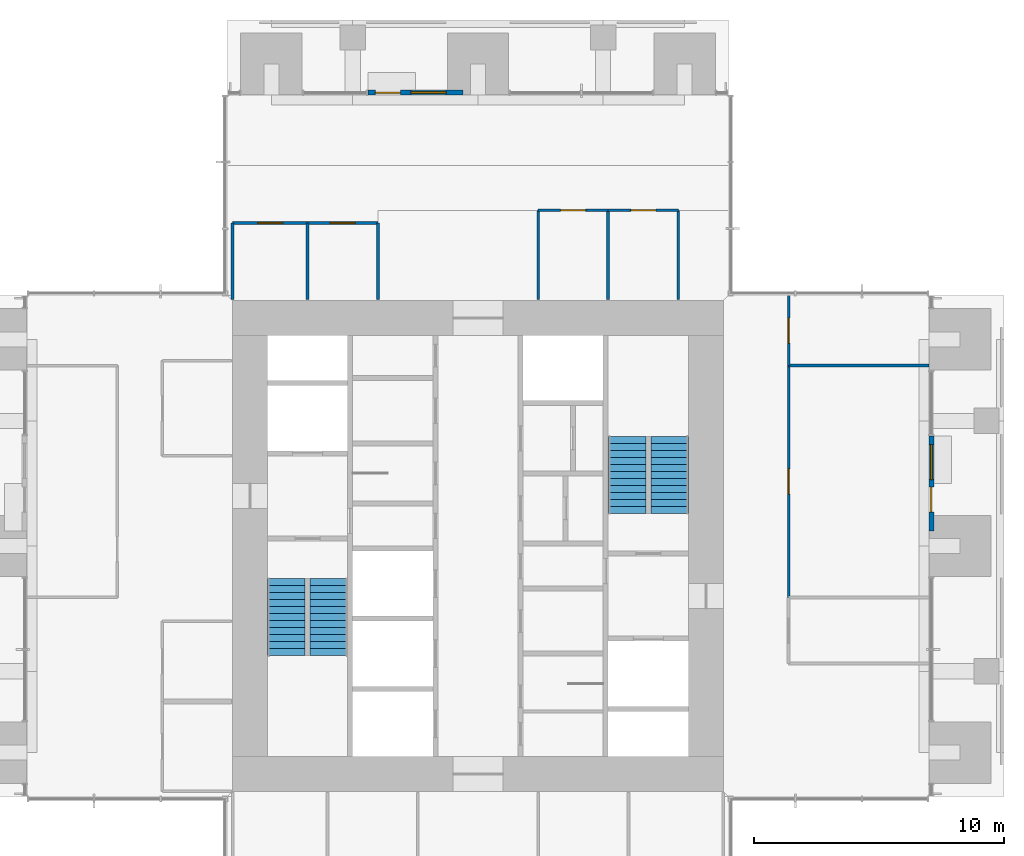
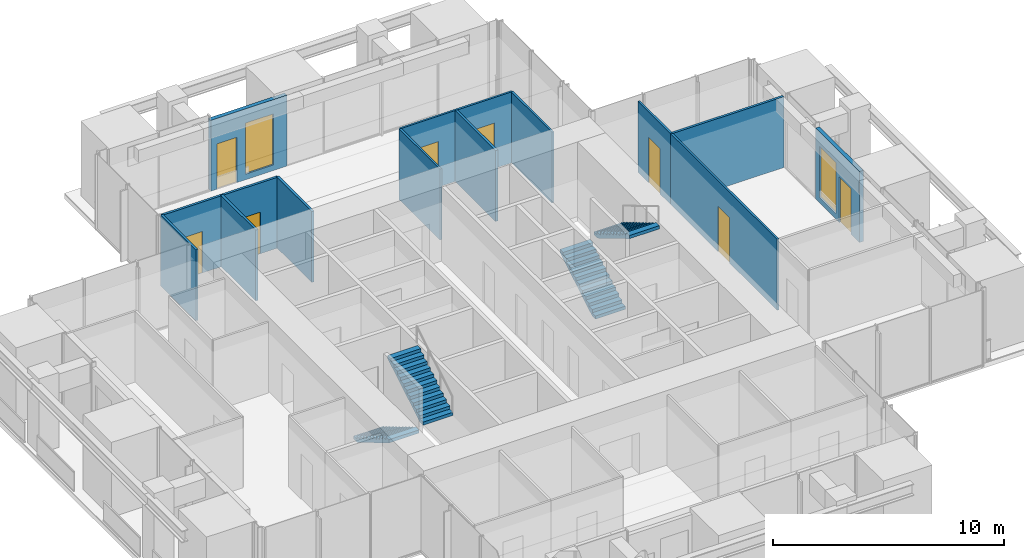
# One storey, part 14 of 17: 15 walls, 8 doors, 4 stair flights, 2 windows, 10 openings, 2 elements without a shape of their own.
"""IFC4 building model written with IfcOpenShell, lengths in metres."""

import ifcopenshell
import ifcopenshell.guid

model = None  # the IFC model being written
_history = None  # IfcOwnerHistory: only IFC2X3 demands one
_inside = {}  # id of a spatial element -> (the spatial element, [elements in it])
_under = {}  # id of a project, library or spatial element -> (it, [spatial elements below it])
_declared = {}  # id of a project -> (the project, [libraries it declares])
_typed = {}  # id of a type object -> (the type object, [elements of that type])
_made_of = {}  # id of a material, layer set ... -> (it, [elements and type objects made of it])


def new_model(schema):
    """Start an empty IFC model of exactly this schema.

    Asked for "IFC4X3", IfcOpenShell would pick the latest addendum, in which some entities
    have other attributes; the version numbers below select the first issue.
    IFC2X3 requires an IfcOwnerHistory on every rooted entity: one is made here for all.
    """
    global model, _history
    if schema == "IFC4X3":
        model = ifcopenshell.file(schema_version=(4, 3, 0, 0))
    else:
        model = ifcopenshell.file(schema=schema)
    _inside.clear()
    _under.clear()
    _declared.clear()
    _typed.clear()
    _made_of.clear()
    _history = None
    if model.schema == "IFC2X3":
        org = make("IfcOrganization", Name="unknown")
        user = make(
            "IfcPersonAndOrganization",
            ThePerson=make("IfcPerson", FamilyName="unknown"),
            TheOrganization=org,
        )
        app = make(
            "IfcApplication",
            ApplicationDeveloper=org,
            Version="unknown",
            ApplicationFullName="unknown",
            ApplicationIdentifier="unknown",
        )
        _history = make(
            "IfcOwnerHistory",
            OwningUser=user,
            OwningApplication=app,
            ChangeAction="ADDED",
            CreationDate=0,
        )
    return model


def make(cls, **values):
    """One entity of the class cls with the attributes given. An attribute that is None is left unset."""
    return model.create_entity(
        cls, **{name: value for name, value in values.items() if value is not None}
    )


def rooted(cls, **values):
    """An entity with a GlobalId (a new one), such as an element, a storey or a relation."""
    return make(cls, GlobalId=ifcopenshell.guid.new(), OwnerHistory=_history, **values)


def si_unit(unit_type, name, prefix=None):
    """IfcSIUnit, for example si_unit("LENGTHUNIT", "METRE", prefix="MILLI")."""
    return make("IfcSIUnit", UnitType=unit_type, Prefix=prefix, Name=name)


def assignment(units):
    """IfcUnitAssignment: the units of a project."""
    return None if units is None else make("IfcUnitAssignment", Units=units)


def point(xyz):
    """IfcCartesianPoint."""
    return None if xyz is None else make("IfcCartesianPoint", Coordinates=xyz)


def direction(xyz):
    """IfcDirection."""
    return None if xyz is None else make("IfcDirection", DirectionRatios=xyz)


def frame(location, z_axis=None, x_axis=None):
    """IfcAxis2Placement3D, a coordinate frame: its origin and axes. An axis left out is left unset."""
    return make(
        "IfcAxis2Placement3D",
        Location=point(location),
        Axis=direction(z_axis),
        RefDirection=direction(x_axis),
    )


def frame_2d(location, x_axis=None):
    """IfcAxis2Placement2D, a coordinate frame in the plane: its origin and x axis."""
    return make(
        "IfcAxis2Placement2D", Location=point(location), RefDirection=direction(x_axis)
    )


def origin():
    """The frame at (0, 0, 0) with its axes left unset."""
    return frame((0.0, 0.0, 0.0))


def place(relative_to, where):
    """IfcLocalPlacement: puts the frame where relative to a parent placement (None: the world)."""
    return make(
        "IfcLocalPlacement", PlacementRelTo=relative_to, RelativePlacement=where
    )


def context(
    kind, dimensions, precision=None, world=None, true_north=None, identifier=None
):
    """IfcGeometricRepresentationContext, for example the 3D "Model" context."""
    return make(
        "IfcGeometricRepresentationContext",
        ContextIdentifier=identifier,
        ContextType=kind,
        CoordinateSpaceDimension=dimensions,
        Precision=precision,
        WorldCoordinateSystem=world,
        TrueNorth=true_north,
    )


def subcontext(parent, identifier, kind, view, scale=None):
    """IfcGeometricRepresentationSubContext, for example "Body" below "Model"."""
    return make(
        "IfcGeometricRepresentationSubContext",
        ContextIdentifier=identifier,
        ContextType=kind,
        ParentContext=parent,
        TargetScale=scale,
        TargetView=view,
    )


def project(units=None, contexts=None):
    """IfcProject with its units and contexts."""
    return rooted(
        "IfcProject",
        Name="project",
        RepresentationContexts=contexts,
        UnitsInContext=assignment(units),
    )


def spatial(cls, under=None, at=None, **own):
    """A site, building, storey or space (cls), placed at a placement, below another one or the project."""
    s = rooted(cls, ObjectPlacement=at, **own)
    if under is not None:
        _under.setdefault(under.id(), (under, []))[1].append(s)
    return s


def polyline(points):
    """IfcPolyline through the points."""
    return make("IfcPolyline", Points=[point(p) for p in points])


def profile(cls, at=None, kind="AREA", **sizes):
    """A parametric profile (cls). Its sizes go by their IFC names, for example OverallWidth=200.0."""
    return make(cls, ProfileType=kind, Position=at, **sizes)


def rectangle(**sizes):
    """IfcRectangleProfileDef."""
    return profile("IfcRectangleProfileDef", **sizes)


def outline(outer, holes=None, kind="AREA"):
    """IfcArbitraryClosedProfileDef: a profile drawn as a closed curve; with holes, ...WithVoids."""
    if holes is None:
        return make("IfcArbitraryClosedProfileDef", ProfileType=kind, OuterCurve=outer)
    return make(
        "IfcArbitraryProfileDefWithVoids",
        ProfileType=kind,
        OuterCurve=outer,
        InnerCurves=holes,
    )


def extrude(swept, where, along, depth):
    """IfcExtrudedAreaSolid: the profile swept, set in the frame where, extruded along a direction by depth."""
    return make(
        "IfcExtrudedAreaSolid",
        SweptArea=swept,
        Position=where,
        ExtrudedDirection=direction(along),
        Depth=depth,
    )


def shape(context_of_items, identifier, shape_type, items):
    """IfcShapeRepresentation: the items that make up one representation, for example the "Body"."""
    return make(
        "IfcShapeRepresentation",
        ContextOfItems=context_of_items,
        RepresentationIdentifier=identifier,
        RepresentationType=shape_type,
        Items=items,
    )


def material(Name=None, Category=None):
    """IfcMaterial."""
    return make("IfcMaterial", Name=Name, Category=Category)


def layer(
    of_material, thickness, ventilated=None, Name=None, Category=None, Priority=None
):
    """IfcMaterialLayer: one layer of a wall or slab, of a material (None: an air gap)."""
    return make(
        "IfcMaterialLayer",
        Material=of_material,
        LayerThickness=thickness,
        IsVentilated=ventilated,
        Name=Name,
        Category=Category,
        Priority=Priority,
    )


def layer_set(layers, Name=None):
    """IfcMaterialLayerSet."""
    return make("IfcMaterialLayerSet", MaterialLayers=layers, LayerSetName=Name)


def made_of(thing, what):
    """Note that an element or type object is made of a material, layer set ...; save() writes the relation."""
    if what is not None:
        _made_of.setdefault(what.id(), (what, []))[1].append(thing)
    return thing


def type_object(cls, material=None, **own):
    """A type object (cls), such as IfcWallType, which elements share."""
    return made_of(rooted(cls, **own), material)


def element(
    cls,
    number,
    at=None,
    inside=None,
    cuts=None,
    type_object=None,
    material=None,
    context=None,
    identifier="Body",
    shape_type=None,
    held_by="IfcProductDefinitionShape",
    body=None,
    shapes=None,
    **own,
):
    """One element of the class cls, such as IfcWall. Its Tag is "e" and its number.

    at: its placement. inside: the storey or other place that contains it. cuts: it is an
    opening in that element (IfcRelVoidsElement). A single representation is given by context,
    identifier, shape_type and body (its items); several are given by shapes. held_by: the class
    of the entity that holds the representations. save() writes the other relations.
    """
    e = rooted(cls, Tag="e%d" % number, ObjectPlacement=at, **own)
    if body is not None:
        shapes = [shape(context, identifier, shape_type, body)]
    if shapes is not None:
        e.Representation = make(held_by, Representations=shapes)
    if inside is not None:
        _inside.setdefault(inside.id(), (inside, []))[1].append(e)
    if cuts is not None:
        rooted(
            "IfcRelVoidsElement", RelatingBuildingElement=cuts, RelatedOpeningElement=e
        )
    if type_object is not None:
        _typed.setdefault(type_object.id(), (type_object, []))[1].append(e)
    return made_of(e, material)


def fill(opening, filler):
    """IfcRelFillsElement: the door or window that sits in an opening."""
    return rooted(
        "IfcRelFillsElement",
        RelatingOpeningElement=opening,
        RelatedBuildingElement=filler,
    )


def aggregate(whole, parts):
    """IfcRelAggregates: a whole, such as a stair, and the parts it consists of."""
    return rooted("IfcRelAggregates", RelatingObject=whole, RelatedObjects=parts)


def save(model, path):
    """Write the relations noted so far, then the file.

    IfcRelAggregates (storeys below a building ...), IfcRelContainedInSpatialStructure (elements
    in a storey), IfcRelDefinesByType, IfcRelAssociatesMaterial and IfcRelDeclares: one each for
    every whole, place, type object, material and project.
    """
    for whole, parts in _under.values():
        aggregate(whole, parts)
    for where, things in _inside.values():
        rooted(
            "IfcRelContainedInSpatialStructure",
            RelatedElements=things,
            RelatingStructure=where,
        )
    for kind, things in _typed.values():
        rooted("IfcRelDefinesByType", RelatedObjects=things, RelatingType=kind)
    for what, things in _made_of.values():
        rooted("IfcRelAssociatesMaterial", RelatedObjects=things, RelatingMaterial=what)
    for by, libraries in _declared.values():
        rooted("IfcRelDeclares", RelatingContext=by, RelatedDefinitions=libraries)
    model.write(path)


model = new_model("IFC4")

# Units and contexts
model_context = context("Model", 3, precision=1e-05, world=origin(), true_north=direction((0.0, 1.0)))
body_context = subcontext(model_context, "Body", "Model", "MODEL_VIEW")
ifc_project = project(units=[si_unit("LENGTHUNIT", "METRE"), si_unit("AREAUNIT", "SQUARE_METRE"), si_unit("VOLUMEUNIT", "CUBIC_METRE"), si_unit("PLANEANGLEUNIT", "RADIAN"), si_unit("MASSUNIT", "GRAM", prefix="KILO")], contexts=[model_context])

# Site, building, storey
site_placement = place(None, origin())
site = spatial("IfcSite", under=ifc_project, at=site_placement, CompositionType="ELEMENT")
building_placement = place(site_placement, origin())
building = spatial("IfcBuilding", under=site, at=building_placement, Name="Svetlomir Tower", CompositionType="ELEMENT")
storey_placement = place(building_placement, frame((0.0, 0.0, 198.5)))
storey = spatial("IfcBuildingStorey", under=building, at=storey_placement, Name="L47", CompositionType="ELEMENT", Elevation=198.5)

# Wall, openings, door, window
ifc_material_1 = material(Name="Bronze anodised aluminium glazed screen", Category="aluminium")
ifc_layer_1 = layer(ifc_material_1, 0.199951171875)
ifc_layer_set_1 = layer_set([ifc_layer_1], Name="Bronze anodised aluminium glazed screen")
wall_type_1 = type_object("IfcWallType", Name="BALCONY SCREEN WALL 200", PredefinedType="USERDEFINED", material=ifc_layer_set_1)
wall_1_placement = place(storey_placement, frame((39.10009765625, 21.60009765625, 0.0), z_axis=(0.0, 0.0, 1.0), x_axis=(0.0, 1.0, 0.0)))
wall_1 = element("IfcWall", 1, at=wall_1_placement, inside=storey, type_object=wall_type_1, Name="Balcony screen E", ObjectType="GLAZED SCREEN", PredefinedType="USERDEFINED", context=body_context, shape_type="SweptSolid", body=[
    extrude(rectangle(XDim=3.7998046875, YDim=0.199951171875, at=frame_2d((1.89990234375, 0.0))), origin(), (0.0, 0.0, 1.0), 3.75),
])
opening_1_placement = place(wall_1_placement, frame((0.75, 0.0, 0.0)))
opening_1 = element("IfcOpeningElement", 2, at=opening_1_placement, cuts=wall_1, Name="Opening BD", PredefinedType="OPENING", context=body_context, shape_type="SweptSolid", body=[
    extrude(rectangle(XDim=1.0, YDim=2.39990234375, at=frame_2d((0.5, 1.199951171875))), frame((0.0, 0.10986328125, 0.0), z_axis=(0.0, -1.0, 0.0), x_axis=(1.0, 0.0, 0.0)), (0.0, 0.0, 1.0), 0.219970703125),
])
opening_2_placement = place(wall_1_placement, frame((2.050048828125, 0.0, 0.300048828125)))
opening_2 = element("IfcOpeningElement", 3, at=opening_2_placement, cuts=wall_1, Name="Opening WS2", PredefinedType="OPENING", context=body_context, shape_type="SweptSolid", body=[
    extrude(rectangle(XDim=1.39990234375, YDim=2.699951171875, at=frame_2d((0.699951171875, 1.35009765625))), frame((0.0, 0.10986328125, 0.0), z_axis=(0.0, -1.0, 0.0), x_axis=(1.0, 0.0, 0.0)), (0.0, 0.0, 1.0), 0.219970703125),
])
ifc_material_2 = material(Name="Bronze anodised aluminium glazed door", Category="aluminium")
door_type_1 = type_object("IfcDoorType", Name="BALCONY DOOR BD 1000x2400", OperationType="SINGLE_SWING_LEFT", PredefinedType="DOOR", material=ifc_material_2)
door_1_placement = place(opening_1_placement, origin())
door_1 = element("IfcDoor", 4, at=door_1_placement, inside=storey, type_object=door_type_1, Name="Balcony screen E door", OperationType="SINGLE_SWING_LEFT", OverallHeight=2.39990234375, OverallWidth=1.0, PredefinedType="DOOR", context=body_context, shape_type="SweptSolid", body=[
    extrude(rectangle(XDim=1.0, YDim=2.39990234375, at=frame_2d((0.5, 1.199951171875))), frame((0.0, 0.02490234375, 0.0), z_axis=(0.0, -1.0, 0.0), x_axis=(1.0, 0.0, 0.0)), (0.0, 0.0, 1.0), 0.050048828125),
])
fill(opening_1, door_1)
ifc_material_3 = material(Name="Bronze anodised aluminium window", Category="aluminium")
window_type = type_object("IfcWindowType", Name="SCREEN WINDOW WS2 1400x2700", PartitioningType="SINGLE_PANEL", PredefinedType="WINDOW", material=ifc_material_3)
window_1_placement = place(opening_2_placement, origin())
window_1 = element("IfcWindow", 5, at=window_1_placement, inside=storey, type_object=window_type, Name="Balcony screen E window 1", OverallHeight=2.699951171875, OverallWidth=1.39990234375, PartitioningType="SINGLE_PANEL", PredefinedType="WINDOW", context=body_context, shape_type="SweptSolid", body=[
    extrude(rectangle(XDim=1.39990234375, YDim=2.699951171875, at=frame_2d((0.699951171875, 1.35009765625))), frame((0.0, 0.030029296875, 0.0), z_axis=(0.0, -1.0, 0.0), x_axis=(1.0, 0.0, 0.0)), (0.0, 0.0, 1.0), 0.06005859375),
])
fill(opening_2, window_1)

wall_2_placement = place(storey_placement, frame((20.39990234375, 39.10009765625, 0.0), z_axis=(0.0, 0.0, 1.0), x_axis=(-1.0, 0.0, 0.0)))
wall_2 = element("IfcWall", 6, at=wall_2_placement, inside=storey, type_object=wall_type_1, Name="Balcony screen N", ObjectType="GLAZED SCREEN", PredefinedType="USERDEFINED", context=body_context, shape_type="SweptSolid", body=[
    extrude(rectangle(XDim=3.7998046875, YDim=0.199951171875, at=frame_2d((1.89990234375, 0.0))), origin(), (0.0, 0.0, 1.0), 3.75),
])
opening_3_placement = place(wall_2_placement, frame((2.5, 0.0, 0.0)))
opening_3 = element("IfcOpeningElement", 7, at=opening_3_placement, cuts=wall_2, Name="Opening BD", PredefinedType="OPENING", context=body_context, shape_type="SweptSolid", body=[
    extrude(rectangle(XDim=1.0, YDim=2.39990234375, at=frame_2d((0.5, 1.199951171875))), frame((0.0, 0.10986328125, 0.0), z_axis=(0.0, -1.0, 0.0), x_axis=(1.0, 0.0, 0.0)), (0.0, 0.0, 1.0), 0.219970703125),
])
opening_4_placement = place(wall_2_placement, frame((0.675048828125, 0.0, 0.300048828125)))
opening_4 = element("IfcOpeningElement", 8, at=opening_4_placement, cuts=wall_2, Name="Opening WS2", PredefinedType="OPENING", context=body_context, shape_type="SweptSolid", body=[
    extrude(rectangle(XDim=1.39990234375, YDim=2.699951171875, at=frame_2d((0.699951171875, 1.35009765625))), frame((0.0, 0.10986328125, 0.0), z_axis=(0.0, -1.0, 0.0), x_axis=(1.0, 0.0, 0.0)), (0.0, 0.0, 1.0), 0.219970703125),
])
door_2_placement = place(opening_3_placement, origin())
door_2 = element("IfcDoor", 9, at=door_2_placement, inside=storey, type_object=door_type_1, Name="Balcony screen N door", OperationType="SINGLE_SWING_LEFT", OverallHeight=2.39990234375, OverallWidth=1.0, PredefinedType="DOOR", context=body_context, shape_type="SweptSolid", body=[
    extrude(rectangle(XDim=1.0, YDim=2.39990234375, at=frame_2d((0.5, 1.199951171875))), frame((0.0, 0.02490234375, 0.0), z_axis=(0.0, -1.0, 0.0), x_axis=(1.0, 0.0, 0.0)), (0.0, 0.0, 1.0), 0.050048828125),
])
fill(opening_3, door_2)
window_2_placement = place(opening_4_placement, origin())
window_2 = element("IfcWindow", 10, at=window_2_placement, inside=storey, type_object=window_type, Name="Balcony screen N window 1", OverallHeight=2.699951171875, OverallWidth=1.39990234375, PartitioningType="SINGLE_PANEL", PredefinedType="WINDOW", context=body_context, shape_type="SweptSolid", body=[
    extrude(rectangle(XDim=1.39990234375, YDim=2.699951171875, at=frame_2d((0.699951171875, 1.35009765625))), frame((0.0, 0.030029296875, 0.0), z_axis=(0.0, -1.0, 0.0), x_axis=(1.0, 0.0, 0.0)), (0.0, 0.0, 1.0), 0.06005859375),
])
fill(opening_4, window_2)

# Wall
ifc_material_4 = material(Name="Framed laminated glass partition", Category="glass")
ifc_layer_2 = layer(ifc_material_4, 0.10009765625)
ifc_layer_set_2 = layer_set([ifc_layer_2], Name="Framed laminated glass partition")
wall_type_2 = type_object("IfcWallType", Name="GLAZED PARTITION 100", PredefinedType="PARTITIONING", material=ifc_layer_set_2)
wall_3_placement = place(storey_placement, frame((23.39990234375, 30.85009765625, 0.0), z_axis=(0.0, 0.0, 1.0), x_axis=(0.0, 1.0, 0.0)))
element("IfcWall", 11, at=wall_3_placement, inside=storey, type_object=wall_type_2, Name="Glazed partition L47", PredefinedType="PARTITIONING", context=body_context, shape_type="SweptSolid", body=[
    extrude(rectangle(XDim=3.5498046875, YDim=0.10009765625, at=frame_2d((1.77490234375, 0.0))), origin(), (0.0, 0.0, 1.0), 3.75),
])

# Wall, opening, door
wall_4_placement = place(storey_placement, frame((23.39990234375, 34.39990234375, 0.0), z_axis=(0.0, 0.0, 1.0), x_axis=(1.0, 0.0, 0.0)))
wall_4 = element("IfcWall", 12, at=wall_4_placement, inside=storey, type_object=wall_type_2, Name="Glazed partition L47", PredefinedType="PARTITIONING", context=body_context, shape_type="SweptSolid", body=[
    extrude(rectangle(XDim=2.800048828125, YDim=0.10009765625, at=frame_2d((1.39990234375, 0.0))), origin(), (0.0, 0.0, 1.0), 3.75),
])
opening_5_placement = place(wall_4_placement, frame((0.89990234375, 0.0, 0.0)))
opening_5 = element("IfcOpeningElement", 13, at=opening_5_placement, cuts=wall_4, Name="Opening DG", PredefinedType="OPENING", context=body_context, shape_type="SweptSolid", body=[
    extrude(rectangle(XDim=1.0, YDim=2.39990234375, at=frame_2d((0.5, 1.199951171875))), frame((0.0, 0.06005859375, 0.0), z_axis=(0.0, -1.0, 0.0), x_axis=(1.0, 0.0, 0.0)), (0.0, 0.0, 1.0), 0.1201171875),
])
ifc_material_5 = material(Name="Framed laminated glass door", Category="glass")
door_type_2 = type_object("IfcDoorType", Name="GLAZED DOOR DG 1000x2400", OperationType="SINGLE_SWING_LEFT", PredefinedType="DOOR", material=ifc_material_5)
door_3_placement = place(opening_5_placement, origin())
door_3 = element("IfcDoor", 14, at=door_3_placement, inside=storey, type_object=door_type_2, Name="Focus room 1 door L47", OperationType="SINGLE_SWING_RIGHT", OverallHeight=2.39990234375, OverallWidth=1.0, PredefinedType="DOOR", context=body_context, shape_type="SweptSolid", body=[
    extrude(rectangle(XDim=1.0, YDim=2.39990234375, at=frame_2d((0.5, 1.199951171875))), frame((0.0, 0.02490234375, 0.0), z_axis=(0.0, -1.0, 0.0), x_axis=(1.0, 0.0, 0.0)), (0.0, 0.0, 1.0), 0.050048828125),
])
fill(opening_5, door_3)

wall_5_placement = place(storey_placement, frame((26.199951171875, 34.39990234375, 0.0), z_axis=(0.0, 0.0, 1.0), x_axis=(1.0, 0.0, 0.0)))
wall_5 = element("IfcWall", 15, at=wall_5_placement, inside=storey, type_object=wall_type_2, Name="Glazed partition L47", PredefinedType="PARTITIONING", context=body_context, shape_type="SweptSolid", body=[
    extrude(rectangle(XDim=2.800048828125, YDim=0.10009765625, at=frame_2d((1.39990234375, 0.0))), origin(), (0.0, 0.0, 1.0), 3.75),
])
opening_6_placement = place(wall_5_placement, frame((0.89990234375, 0.0, 0.0)))
opening_6 = element("IfcOpeningElement", 16, at=opening_6_placement, cuts=wall_5, Name="Opening DG", PredefinedType="OPENING", context=body_context, shape_type="SweptSolid", body=[
    extrude(rectangle(XDim=1.0, YDim=2.39990234375, at=frame_2d((0.5, 1.199951171875))), frame((0.0, 0.06005859375, 0.0), z_axis=(0.0, -1.0, 0.0), x_axis=(1.0, 0.0, 0.0)), (0.0, 0.0, 1.0), 0.1201171875),
])
door_4_placement = place(opening_6_placement, origin())
door_4 = element("IfcDoor", 17, at=door_4_placement, inside=storey, type_object=door_type_2, Name="Focus room 2 door L47", OperationType="SINGLE_SWING_LEFT", OverallHeight=2.39990234375, OverallWidth=1.0, PredefinedType="DOOR", context=body_context, shape_type="SweptSolid", body=[
    extrude(rectangle(XDim=1.0, YDim=2.39990234375, at=frame_2d((0.5, 1.199951171875))), frame((0.0, 0.02490234375, 0.0), z_axis=(0.0, -1.0, 0.0), x_axis=(1.0, 0.0, 0.0)), (0.0, 0.0, 1.0), 0.050048828125),
])
fill(opening_6, door_4)

# Wall
wall_6_placement = place(storey_placement, frame((29.0, 30.85009765625, 0.0), z_axis=(0.0, 0.0, 1.0), x_axis=(0.0, 1.0, 0.0)))
element("IfcWall", 18, at=wall_6_placement, inside=storey, type_object=wall_type_2, Name="Glazed partition L47", PredefinedType="PARTITIONING", context=body_context, shape_type="SweptSolid", body=[
    extrude(rectangle(XDim=3.5498046875, YDim=0.10009765625, at=frame_2d((1.77490234375, 0.0))), origin(), (0.0, 0.0, 1.0), 3.75),
])

# Wall, opening, door
wall_7_placement = place(storey_placement, frame((33.39990234375, 18.949951171875, 0.0), z_axis=(0.0, 0.0, 1.0), x_axis=(0.0, 1.0, 0.0)))
wall_7 = element("IfcWall", 19, at=wall_7_placement, inside=storey, type_object=wall_type_2, Name="Glazed partition L47", PredefinedType="PARTITIONING", context=body_context, shape_type="SweptSolid", body=[
    extrude(rectangle(XDim=9.25, YDim=0.10009765625, at=frame_2d((4.625, 0.0))), origin(), (0.0, 0.0, 1.0), 3.75),
])
opening_7_placement = place(wall_7_placement, frame((4.125, 0.0, 0.0)))
opening_7 = element("IfcOpeningElement", 20, at=opening_7_placement, cuts=wall_7, Name="Opening DG", PredefinedType="OPENING", context=body_context, shape_type="SweptSolid", body=[
    extrude(rectangle(XDim=1.0, YDim=2.39990234375, at=frame_2d((0.5, 1.199951171875))), frame((0.0, 0.06005859375, 0.0), z_axis=(0.0, -1.0, 0.0), x_axis=(1.0, 0.0, 0.0)), (0.0, 0.0, 1.0), 0.1201171875),
])
door_5_placement = place(opening_7_placement, origin())
door_5 = element("IfcDoor", 21, at=door_5_placement, inside=storey, type_object=door_type_2, Name="Product demo lounge door L47", OperationType="SINGLE_SWING_RIGHT", OverallHeight=2.39990234375, OverallWidth=1.0, PredefinedType="DOOR", context=body_context, shape_type="SweptSolid", body=[
    extrude(rectangle(XDim=1.0, YDim=2.39990234375, at=frame_2d((0.5, 1.199951171875))), frame((0.0, 0.02490234375, 0.0), z_axis=(0.0, -1.0, 0.0), x_axis=(1.0, 0.0, 0.0)), (0.0, 0.0, 1.0), 0.050048828125),
])
fill(opening_7, door_5)

wall_8_placement = place(storey_placement, frame((33.39990234375, 28.199951171875, 0.0), z_axis=(0.0, 0.0, 1.0), x_axis=(0.0, 1.0, 0.0)))
wall_8 = element("IfcWall", 22, at=wall_8_placement, inside=storey, type_object=wall_type_2, Name="Glazed partition L47", PredefinedType="PARTITIONING", context=body_context, shape_type="SweptSolid", body=[
    extrude(rectangle(XDim=2.800048828125, YDim=0.10009765625, at=frame_2d((1.39990234375, 0.0))), origin(), (0.0, 0.0, 1.0), 3.75),
])
opening_8_placement = place(wall_8_placement, frame((0.89990234375, 0.0, 0.0)))
opening_8 = element("IfcOpeningElement", 23, at=opening_8_placement, cuts=wall_8, Name="Opening DG", PredefinedType="OPENING", context=body_context, shape_type="SweptSolid", body=[
    extrude(rectangle(XDim=1.0, YDim=2.39990234375, at=frame_2d((0.5, 1.199951171875))), frame((0.0, 0.06005859375, 0.0), z_axis=(0.0, -1.0, 0.0), x_axis=(1.0, 0.0, 0.0)), (0.0, 0.0, 1.0), 0.1201171875),
])
door_6_placement = place(opening_8_placement, origin())
door_6 = element("IfcDoor", 24, at=door_6_placement, inside=storey, type_object=door_type_2, Name="Retrospective room, 12 seats door L47", OperationType="SINGLE_SWING_LEFT", OverallHeight=2.39990234375, OverallWidth=1.0, PredefinedType="DOOR", context=body_context, shape_type="SweptSolid", body=[
    extrude(rectangle(XDim=1.0, YDim=2.39990234375, at=frame_2d((0.5, 1.199951171875))), frame((0.0, 0.02490234375, 0.0), z_axis=(0.0, -1.0, 0.0), x_axis=(1.0, 0.0, 0.0)), (0.0, 0.0, 1.0), 0.050048828125),
])
fill(opening_8, door_6)

# Wall
ifc_material_6 = material(Name="Gypsum board on steel studs", Category="steel")
ifc_layer_3 = layer(ifc_material_6, 0.1201171875)
ifc_layer_set_3 = layer_set([ifc_layer_3], Name="Gypsum board on steel studs")
wall_type_3 = type_object("IfcWallType", Name="PARTITION 120", PredefinedType="PARTITIONING", material=ifc_layer_set_3)
wall_9_placement = place(storey_placement, frame((11.199951171875, 30.85009765625, 0.0), z_axis=(0.0, 0.0, 1.0), x_axis=(0.0, 1.0, 0.0)))
element("IfcWall", 25, at=wall_9_placement, inside=storey, type_object=wall_type_3, Name="Partition L47", PredefinedType="PARTITIONING", context=body_context, shape_type="SweptSolid", body=[
    extrude(rectangle(XDim=3.0498046875, YDim=0.1201171875, at=frame_2d((1.52490234375, 0.0))), origin(), (0.0, 0.0, 1.0), 3.75),
])

# Wall, opening, door
wall_10_placement = place(storey_placement, frame((11.199951171875, 33.89990234375, 0.0), z_axis=(0.0, 0.0, 1.0), x_axis=(1.0, 0.0, 0.0)))
wall_10 = element("IfcWall", 26, at=wall_10_placement, inside=storey, type_object=wall_type_3, Name="Partition L47", PredefinedType="PARTITIONING", context=body_context, shape_type="SweptSolid", body=[
    extrude(rectangle(XDim=3.0, YDim=0.1201171875, at=frame_2d((1.5, 0.0))), origin(), (0.0, 0.0, 1.0), 3.75),
])
opening_9_placement = place(wall_10_placement, frame((1.0, 0.0, 0.0)))
opening_9 = element("IfcOpeningElement", 27, at=opening_9_placement, cuts=wall_10, Name="Opening DR", PredefinedType="OPENING", context=body_context, shape_type="SweptSolid", body=[
    extrude(rectangle(XDim=1.0, YDim=2.199951171875, at=frame_2d((0.5, 1.10009765625))), frame((0.0, 0.070068359375, 0.0), z_axis=(0.0, -1.0, 0.0), x_axis=(1.0, 0.0, 0.0)), (0.0, 0.0, 1.0), 0.14013671875),
])
ifc_material_7 = material(Name="Timber door, glazed side light", Category="wood")
door_type_3 = type_object("IfcDoorType", Name="DOOR DR 1000x2200", OperationType="SINGLE_SWING_LEFT", PredefinedType="DOOR", material=ifc_material_7)
door_7_placement = place(opening_9_placement, origin())
door_7 = element("IfcDoor", 28, at=door_7_placement, inside=storey, type_object=door_type_3, Name="Print and copy room door L47", OperationType="SINGLE_SWING_RIGHT", OverallHeight=2.199951171875, OverallWidth=1.0, PredefinedType="DOOR", context=body_context, shape_type="SweptSolid", body=[
    extrude(rectangle(XDim=1.0, YDim=2.199951171875, at=frame_2d((0.5, 1.10009765625))), frame((0.0, 0.02490234375, 0.0), z_axis=(0.0, -1.0, 0.0), x_axis=(1.0, 0.0, 0.0)), (0.0, 0.0, 1.0), 0.050048828125),
])
fill(opening_9, door_7)

# Wall
wall_11_placement = place(storey_placement, frame((14.199951171875, 30.85009765625, 0.0), z_axis=(0.0, 0.0, 1.0), x_axis=(0.0, 1.0, 0.0)))
element("IfcWall", 29, at=wall_11_placement, inside=storey, type_object=wall_type_3, Name="Partition L47", PredefinedType="PARTITIONING", context=body_context, shape_type="SweptSolid", body=[
    extrude(rectangle(XDim=3.0498046875, YDim=0.1201171875, at=frame_2d((1.52490234375, 0.0))), origin(), (0.0, 0.0, 1.0), 3.75),
])

# Wall, opening, door
wall_12_placement = place(storey_placement, frame((14.199951171875, 33.89990234375, 0.0), z_axis=(0.0, 0.0, 1.0), x_axis=(1.0, 0.0, 0.0)))
wall_12 = element("IfcWall", 30, at=wall_12_placement, inside=storey, type_object=wall_type_3, Name="Partition L47", PredefinedType="PARTITIONING", context=body_context, shape_type="SweptSolid", body=[
    extrude(rectangle(XDim=2.800048828125, YDim=0.1201171875, at=frame_2d((1.39990234375, 0.0))), origin(), (0.0, 0.0, 1.0), 3.75),
])
opening_10_placement = place(wall_12_placement, frame((0.89990234375, 0.0, 0.0)))
opening_10 = element("IfcOpeningElement", 31, at=opening_10_placement, cuts=wall_12, Name="Opening DR", PredefinedType="OPENING", context=body_context, shape_type="SweptSolid", body=[
    extrude(rectangle(XDim=1.0, YDim=2.199951171875, at=frame_2d((0.5, 1.10009765625))), frame((0.0, 0.070068359375, 0.0), z_axis=(0.0, -1.0, 0.0), x_axis=(1.0, 0.0, 0.0)), (0.0, 0.0, 1.0), 0.14013671875),
])
door_8_placement = place(opening_10_placement, origin())
door_8 = element("IfcDoor", 32, at=door_8_placement, inside=storey, type_object=door_type_3, Name="Device store door L47", OperationType="SINGLE_SWING_LEFT", OverallHeight=2.199951171875, OverallWidth=1.0, PredefinedType="DOOR", context=body_context, shape_type="SweptSolid", body=[
    extrude(rectangle(XDim=1.0, YDim=2.199951171875, at=frame_2d((0.5, 1.10009765625))), frame((0.0, 0.02490234375, 0.0), z_axis=(0.0, -1.0, 0.0), x_axis=(1.0, 0.0, 0.0)), (0.0, 0.0, 1.0), 0.050048828125),
])
fill(opening_10, door_8)

# Walls
wall_13_placement = place(storey_placement, frame((17.0, 30.85009765625, 0.0), z_axis=(0.0, 0.0, 1.0), x_axis=(0.0, 1.0, 0.0)))
element("IfcWall", 33, at=wall_13_placement, inside=storey, type_object=wall_type_3, Name="Partition L47", PredefinedType="PARTITIONING", context=body_context, shape_type="SweptSolid", body=[
    extrude(rectangle(XDim=3.0498046875, YDim=0.1201171875, at=frame_2d((1.52490234375, 0.0))), origin(), (0.0, 0.0, 1.0), 3.75),
])
wall_14_placement = place(storey_placement, frame((26.199951171875, 30.85009765625, 0.0), z_axis=(0.0, 0.0, 1.0), x_axis=(0.0, 1.0, 0.0)))
element("IfcWall", 34, at=wall_14_placement, inside=storey, type_object=wall_type_3, Name="Partition L47", PredefinedType="PARTITIONING", context=body_context, shape_type="SweptSolid", body=[
    extrude(rectangle(XDim=3.5498046875, YDim=0.1201171875, at=frame_2d((1.77490234375, 0.0))), origin(), (0.0, 0.0, 1.0), 3.75),
])
wall_15_placement = place(storey_placement, frame((33.39990234375, 28.199951171875, 0.0), z_axis=(0.0, 0.0, 1.0), x_axis=(1.0, 0.0, 0.0)))
element("IfcWall", 35, at=wall_15_placement, inside=storey, type_object=wall_type_3, Name="Partition L47", PredefinedType="PARTITIONING", context=body_context, shape_type="SweptSolid", body=[
    extrude(rectangle(XDim=5.60009765625, YDim=0.1201171875, at=frame_2d((2.800048828125, 0.0))), origin(), (0.0, 0.0, 1.0), 3.75),
])

# Stair, stair flights
ifc_material_8 = material(Name="Concrete C60/75", Category="concrete")
stair_type = type_object("IfcStairType", Name="EXIT STAIR 3200 RISE 4000", PredefinedType="HALF_TURN_STAIR", material=ifc_material_8)
stair_1_placement = place(storey_placement, origin())
stair_1 = element("IfcStair", 36, at=stair_1_placement, inside=storey, type_object=stair_type, Name="Stair S1 L47 to L48", PredefinedType="HALF_TURN_STAIR")
ifc_material_9 = material(Name="Concrete C60/75", Category="concrete")
stair_flight_type = type_object("IfcStairFlightType", Name="STAIR FLIGHT 1500 OF 12 RISERS", PredefinedType="STRAIGHT", material=ifc_material_9)
stair_flight_1_placement = place(storey_placement, frame((13.35009765625, 19.699951171875, 0.0), z_axis=(0.0, 0.0, 1.0), x_axis=(0.0, -1.0, 0.0)))
stair_flight_1 = element("IfcStairFlight", 37, at=stair_flight_1_placement, type_object=stair_flight_type, Name="S1 flight 1", NumberOfRisers=12, NumberOfTreads=11, PredefinedType="STRAIGHT", RiserHeight=0.166666667, TreadLength=0.28, context=body_context, shape_type="SweptSolid", body=[
    extrude(outline(polyline([(0.0, 0.0), (0.0, 0.166748046875), (0.280029296875, 0.166748046875), (0.280029296875, 0.333251953125), (0.56005859375, 0.333251953125), (0.56005859375, 0.5), (0.840087890625, 0.5), (0.840087890625, 0.666748046875), (1.1201171875, 0.666748046875), (1.1201171875, 0.833251953125), (1.39990234375, 0.833251953125), (1.39990234375, 1.0), (1.679931640625, 1.0), (1.679931640625, 1.166748046875), (1.9599609375, 1.166748046875), (1.9599609375, 1.333251953125), (2.239990234375, 1.333251953125), (2.239990234375, 1.5), (2.52001953125, 1.5), (2.52001953125, 1.666748046875), (2.800048828125, 1.666748046875), (2.800048828125, 1.833251953125), (3.080078125, 1.833251953125), (3.080078125, 2.0), (3.080078125, 1.658935546875), (0.29296875, 0.0), (0.0, 0.0)])), frame((0.0, 0.75, 0.0), z_axis=(0.0, -1.0, 0.0), x_axis=(1.0, 0.0, 0.0)), (0.0, 0.0, 1.0), 1.5),
])
stair_flight_2_placement = place(storey_placement, frame((15.050048828125, 16.6201171875, 2.0), z_axis=(0.0, 0.0, 1.0), x_axis=(0.0, 1.0, 0.0)))
stair_flight_2 = element("IfcStairFlight", 38, at=stair_flight_2_placement, type_object=stair_flight_type, Name="S1 flight 2", NumberOfRisers=12, NumberOfTreads=11, PredefinedType="STRAIGHT", RiserHeight=0.166666667, TreadLength=0.28, context=body_context, shape_type="SweptSolid", body=[
    extrude(outline(polyline([(0.0, 0.0), (0.0, 0.166748046875), (0.280029296875, 0.166748046875), (0.280029296875, 0.333251953125), (0.56005859375, 0.333251953125), (0.56005859375, 0.5), (0.840087890625, 0.5), (0.840087890625, 0.666748046875), (1.1201171875, 0.666748046875), (1.1201171875, 0.833251953125), (1.39990234375, 0.833251953125), (1.39990234375, 1.0), (1.679931640625, 1.0), (1.679931640625, 1.166748046875), (1.9599609375, 1.166748046875), (1.9599609375, 1.333251953125), (2.239990234375, 1.333251953125), (2.239990234375, 1.5), (2.52001953125, 1.5), (2.52001953125, 1.666748046875), (2.800048828125, 1.666748046875), (2.800048828125, 1.833251953125), (3.080078125, 1.833251953125), (3.080078125, 2.0), (3.080078125, 1.658935546875), (0.29296875, 0.0), (0.0, 0.0)])), frame((0.0, 0.75, 0.0), z_axis=(0.0, -1.0, 0.0), x_axis=(1.0, 0.0, 0.0)), (0.0, 0.0, 1.0), 1.5),
])
aggregate(stair_1, [stair_flight_1, stair_flight_2])

stair_2_placement = place(storey_placement, origin())
stair_2 = element("IfcStair", 39, at=stair_2_placement, inside=storey, type_object=stair_type, Name="Stair S2 L47 to L48", PredefinedType="HALF_TURN_STAIR")
stair_flight_3_placement = place(storey_placement, frame((26.949951171875, 22.300048828125, 0.0), z_axis=(0.0, 0.0, 1.0), x_axis=(0.0, 1.0, 0.0)))
stair_flight_3 = element("IfcStairFlight", 40, at=stair_flight_3_placement, type_object=stair_flight_type, Name="S2 flight 1", NumberOfRisers=12, NumberOfTreads=11, PredefinedType="STRAIGHT", RiserHeight=0.166666667, TreadLength=0.28, context=body_context, shape_type="SweptSolid", body=[
    extrude(outline(polyline([(0.0, 0.0), (0.0, 0.166748046875), (0.280029296875, 0.166748046875), (0.280029296875, 0.333251953125), (0.56005859375, 0.333251953125), (0.56005859375, 0.5), (0.840087890625, 0.5), (0.840087890625, 0.666748046875), (1.1201171875, 0.666748046875), (1.1201171875, 0.833251953125), (1.39990234375, 0.833251953125), (1.39990234375, 1.0), (1.679931640625, 1.0), (1.679931640625, 1.166748046875), (1.9599609375, 1.166748046875), (1.9599609375, 1.333251953125), (2.239990234375, 1.333251953125), (2.239990234375, 1.5), (2.52001953125, 1.5), (2.52001953125, 1.666748046875), (2.800048828125, 1.666748046875), (2.800048828125, 1.833251953125), (3.080078125, 1.833251953125), (3.080078125, 2.0), (3.080078125, 1.658935546875), (0.29296875, 0.0), (0.0, 0.0)])), frame((0.0, 0.75, 0.0), z_axis=(0.0, -1.0, 0.0), x_axis=(1.0, 0.0, 0.0)), (0.0, 0.0, 1.0), 1.5),
])
stair_flight_4_placement = place(storey_placement, frame((28.64990234375, 25.3798828125, 2.0), z_axis=(0.0, 0.0, 1.0), x_axis=(0.0, -1.0, 0.0)))
stair_flight_4 = element("IfcStairFlight", 41, at=stair_flight_4_placement, type_object=stair_flight_type, Name="S2 flight 2", NumberOfRisers=12, NumberOfTreads=11, PredefinedType="STRAIGHT", RiserHeight=0.166666667, TreadLength=0.28, context=body_context, shape_type="SweptSolid", body=[
    extrude(outline(polyline([(0.0, 0.0), (0.0, 0.166748046875), (0.280029296875, 0.166748046875), (0.280029296875, 0.333251953125), (0.56005859375, 0.333251953125), (0.56005859375, 0.5), (0.840087890625, 0.5), (0.840087890625, 0.666748046875), (1.1201171875, 0.666748046875), (1.1201171875, 0.833251953125), (1.39990234375, 0.833251953125), (1.39990234375, 1.0), (1.679931640625, 1.0), (1.679931640625, 1.166748046875), (1.9599609375, 1.166748046875), (1.9599609375, 1.333251953125), (2.239990234375, 1.333251953125), (2.239990234375, 1.5), (2.52001953125, 1.5), (2.52001953125, 1.666748046875), (2.800048828125, 1.666748046875), (2.800048828125, 1.833251953125), (3.080078125, 1.833251953125), (3.080078125, 2.0), (3.080078125, 1.658935546875), (0.29296875, 0.0), (0.0, 0.0)])), frame((0.0, 0.75, 0.0), z_axis=(0.0, -1.0, 0.0), x_axis=(1.0, 0.0, 0.0)), (0.0, 0.0, 1.0), 1.5),
])
aggregate(stair_2, [stair_flight_3, stair_flight_4])

save(model, "model.ifc")
